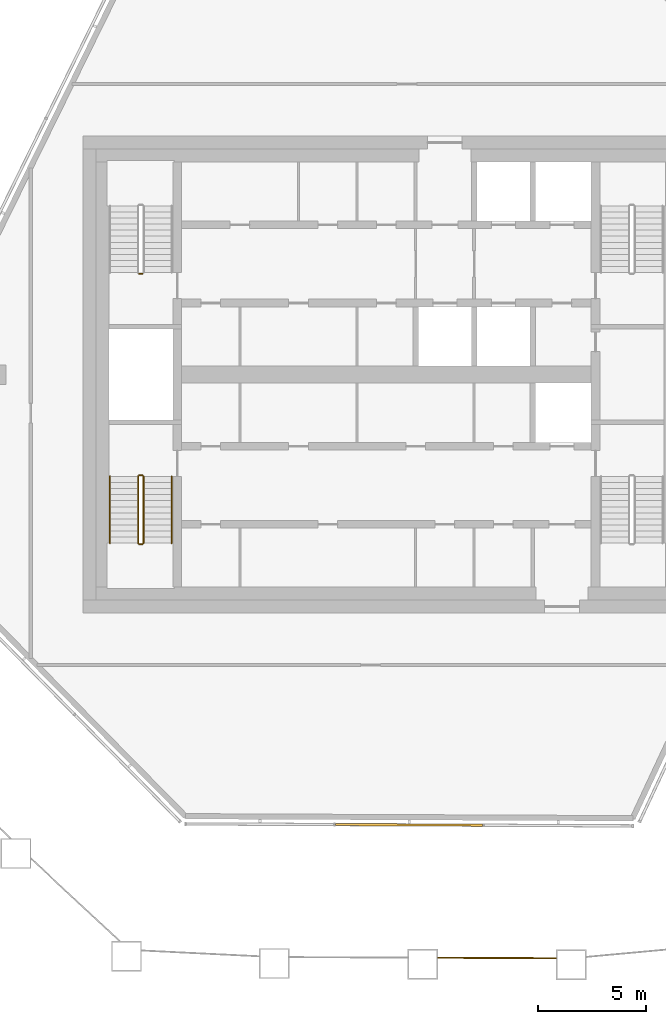
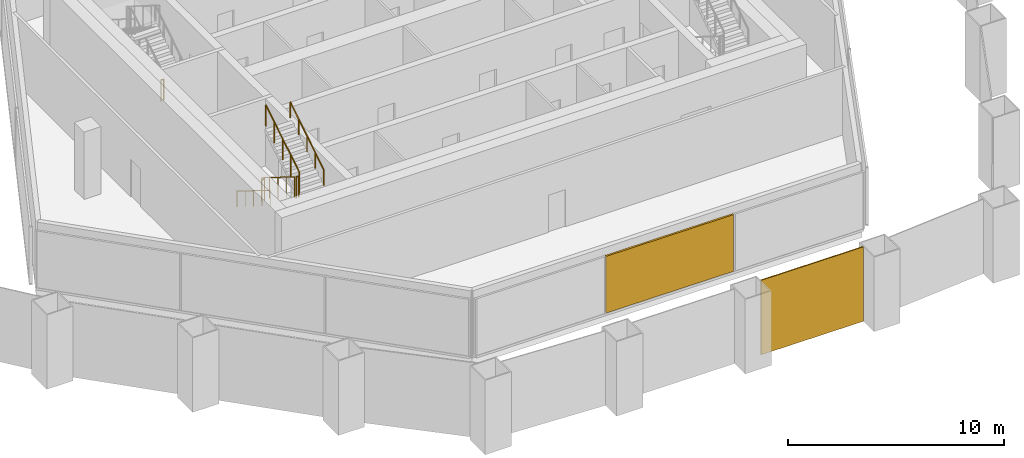
# One storey, part 13 of 18: 7 railings, 2 coverings, 1 element without a shape of its own.
"""IFC4 building model written with IfcOpenShell, lengths in metres."""

from ifc_helpers import new_model, si_unit, direction, frame, origin, origin_2d, place, context, subcontext, project, spatial, polyline, rectangle, circle, outline, extrude, material, layer, layer_set, type_object, element, aggregate, save


model = new_model("IFC4")

# Units and contexts
model_context = context("Model", 3, precision=1e-05, world=origin(), true_north=direction((0.0, 1.0)))
body_context = subcontext(model_context, "Body", "Model", "MODEL_VIEW")
ifc_project = project(units=[si_unit("LENGTHUNIT", "METRE"), si_unit("AREAUNIT", "SQUARE_METRE"), si_unit("VOLUMEUNIT", "CUBIC_METRE"), si_unit("PLANEANGLEUNIT", "RADIAN"), si_unit("MASSUNIT", "GRAM", prefix="KILO")], contexts=[model_context])

# Site, building, storey
site_placement = place(None, origin())
site = spatial("IfcSite", under=ifc_project, at=site_placement, CompositionType="ELEMENT")
building_placement = place(site_placement, origin())
building = spatial("IfcBuilding", under=site, at=building_placement, Name="Dongbaek Canopy Tower", CompositionType="ELEMENT")
storey_placement = place(building_placement, frame((0.0, 0.0, 367.39990234375)))
storey = spatial("IfcBuildingStorey", under=building, at=storey_placement, Name="L79", CompositionType="ELEMENT", Elevation=367.39990234375)

# Covering
ifc_material_1 = material(Name="Perforated pale metal")
ifc_layer_1 = layer(ifc_material_1, 0.06005859375)
ifc_layer_set_1 = layer_set([ifc_layer_1], Name="Crown plant screen")
covering_type_1 = type_object("IfcCoveringType", Name="Crown plant screen", PredefinedType="CLADDING", material=ifc_layer_set_1)
covering_1_placement = place(storey_placement, origin())
element("IfcCovering", 1, at=covering_1_placement, inside=storey, type_object=covering_type_1, Name="Crown plant screen 7 L79", PredefinedType="CLADDING", context=body_context, shape_type="SweptSolid", body=[
    extrude(outline(polyline([(2.383056640625, -26.93017578125), (2.383056640625, -26.8701171875), (7.833984375, -26.893798828125), (7.833984375, -26.953857421875), (2.383056640625, -26.93017578125)])), origin(), (0.0, 0.0, 1.0), 4.2001953125),
])

# Curtain wall, covering
ifc_material_2 = material(Name="Aluminium 6063-T6 pale anodised", Category="aluminium")
ifc_layer_2 = layer(ifc_material_2, 0.14990234375)
ifc_layer_set_2 = layer_set([ifc_layer_2], Name="CW-7 louvre curtain wall")
curtain_wall_type = type_object("IfcCurtainWallType", Name="CW-7 louvre curtain wall", PredefinedType="NOTDEFINED", material=ifc_layer_set_2)
curtain_wall_placement = place(storey_placement, origin())
curtain_wall = element("IfcCurtainWall", 2, at=curtain_wall_placement, inside=storey, type_object=curtain_wall_type, Name="CW-7 louvre wall L79 F0", PredefinedType="NOTDEFINED")
ifc_material_3 = material(Name="Aluminium 6063-T6 pale metal louvre blades", Category="aluminium")
ifc_layer_3 = layer(ifc_material_3, 0.10009765625)
ifc_layer_set_3 = layer_set([ifc_layer_3], Name="Louvre LV bank 100 x 3200")
covering_type_2 = type_object("IfcCoveringType", Name="Louvre LV bank 100 x 3200", PredefinedType="CLADDING", material=ifc_layer_set_3)
covering_2_placement = place(storey_placement, frame((1.04931640625, -20.772705078125, 0.30029296875), z_axis=(0.0, 0.0, 1.0), x_axis=(0.999990026762, -0.004466136555, 0.0)))
covering_2 = element("IfcCovering", 3, at=covering_2_placement, type_object=covering_type_2, Name="Louvre L79 F0.1.2", PredefinedType="CLADDING", context=body_context, shape_type="SweptSolid", body=[
    extrude(rectangle(XDim=6.787841796875, YDim=0.10009765625, at=origin_2d()), origin(), (0.0, 0.0, 1.0), 3.199951171875),
])
aggregate(curtain_wall, [covering_2])

# Railings
ifc_material_4 = material(Name="Stainless steel tube and balusters", Category="steel")
railing_type_1 = type_object("IfcRailingType", Name="Stair guard 1200", PredefinedType="GUARDRAIL", material=ifc_material_4)
railing_1_placement = place(storey_placement, frame((-11.25, 4.64990234375, 0.0)))
element("IfcRailing", 4, at=railing_1_placement, inside=storey, type_object=railing_type_1, Name="L79 ST-C stair guard 4", PredefinedType="GUARDRAIL", context=body_context, shape_type="SweptSolid", body=[
    extrude(circle(Radius=0.02392578125, at=origin_2d()), frame((0.0, 0.0, 1.17578125), z_axis=(-1.0, 0.0, 0.0), x_axis=(0.0, -1.0, 0.0)), (0.0, 0.0, 1.0), 0.14990234375),
    extrude(circle(Radius=0.02099609375, at=origin_2d()), origin(), (0.0, 0.0, 1.0), 1.15185546875),
    extrude(circle(Radius=0.02099609375, at=origin_2d()), frame((-0.14990234375, 0.0, 0.0)), (0.0, 0.0, 1.0), 1.15185546875),
])
railing_2_placement = place(storey_placement, frame((-11.449951171875, -4.699951171875, 0.175048828125)))
element("IfcRailing", 5, at=railing_2_placement, inside=storey, type_object=railing_type_1, Name="L79 ST-D stair guard 1", PredefinedType="GUARDRAIL", context=body_context, shape_type="SweptSolid", body=[
    extrude(circle(Radius=0.02392578125, at=origin_2d()), frame((0.0, 0.0, 1.17578125), z_axis=(0.0, -0.847998304005, 0.529998940003), x_axis=(1.0, 0.0, 0.0)), (0.0, 0.0, 1.0), 3.632080078125),
    extrude(circle(Radius=0.02099609375, at=origin_2d()), origin(), (0.0, 0.0, 1.0), 1.15185546875),
    extrude(circle(Radius=0.02099609375, at=origin_2d()), frame((0.0, -0.77001953125, 0.481201171875)), (0.0, 0.0, 1.0), 1.15185546875),
    extrude(circle(Radius=0.02099609375, at=origin_2d()), frame((0.0, -1.5400390625, 0.96240234375)), (0.0, 0.0, 1.0), 1.15185546875),
    extrude(circle(Radius=0.02099609375, at=origin_2d()), frame((0.0, -2.31005859375, 1.44384765625)), (0.0, 0.0, 1.0), 1.15185546875),
    extrude(circle(Radius=0.02099609375, at=origin_2d()), frame((0.0, -3.080078125, 1.925048828125)), (0.0, 0.0, 1.0), 1.15185546875),
])
railing_3_placement = place(storey_placement, frame((-11.39990234375, -7.830078125, 2.10009765625)))
element("IfcRailing", 6, at=railing_3_placement, inside=storey, type_object=railing_type_1, Name="L79 ST-D stair guard 2", PredefinedType="GUARDRAIL", context=body_context, shape_type="SweptSolid", body=[
    extrude(circle(Radius=0.02392578125, at=origin_2d()), frame((0.0, 0.0, 1.17578125), z_axis=(1.0, 0.0, 0.0), x_axis=(0.0, 1.0, 0.0)), (0.0, 0.0, 1.0), 0.14990234375),
    extrude(circle(Radius=0.02099609375, at=origin_2d()), origin(), (0.0, 0.0, 1.0), 1.15185546875),
    extrude(circle(Radius=0.02099609375, at=origin_2d()), frame((0.14990234375, 0.0, 0.0)), (0.0, 0.0, 1.0), 1.15185546875),
])
railing_4_placement = place(storey_placement, frame((-11.199951171875, -7.780029296875, 2.275146484375)))
element("IfcRailing", 7, at=railing_4_placement, inside=storey, type_object=railing_type_1, Name="L79 ST-D stair guard 3", PredefinedType="GUARDRAIL", context=body_context, shape_type="SweptSolid", body=[
    extrude(circle(Radius=0.02392578125, at=origin_2d()), frame((0.0, 0.0, 1.17578125), z_axis=(0.0, 0.847998304005, 0.529998940003), x_axis=(-1.0, 0.0, 0.0)), (0.0, 0.0, 1.0), 3.632080078125),
    extrude(circle(Radius=0.02099609375, at=origin_2d()), origin(), (0.0, 0.0, 1.0), 1.15185546875),
    extrude(circle(Radius=0.02099609375, at=origin_2d()), frame((0.0, 0.77001953125, 0.481201171875)), (0.0, 0.0, 1.0), 1.15185546875),
    extrude(circle(Radius=0.02099609375, at=origin_2d()), frame((0.0, 1.5400390625, 0.96240234375)), (0.0, 0.0, 1.0), 1.15185546875),
    extrude(circle(Radius=0.02099609375, at=origin_2d()), frame((0.0, 2.31005859375, 1.44384765625)), (0.0, 0.0, 1.0), 1.15185546875),
    extrude(circle(Radius=0.02099609375, at=origin_2d()), frame((0.0, 3.080078125, 1.925048828125)), (0.0, 0.0, 1.0), 1.15185546875),
])
railing_5_placement = place(storey_placement, frame((-11.39990234375, -4.64990234375, 0.0)))
element("IfcRailing", 8, at=railing_5_placement, inside=storey, type_object=railing_type_1, Name="L79 ST-D stair guard 4", PredefinedType="GUARDRAIL", context=body_context, shape_type="SweptSolid", body=[
    extrude(circle(Radius=0.02392578125, at=origin_2d()), frame((0.0, 0.0, 1.17578125), z_axis=(1.0, 0.0, 0.0), x_axis=(0.0, 1.0, 0.0)), (0.0, 0.0, 1.0), 0.14990234375),
    extrude(circle(Radius=0.02099609375, at=origin_2d()), origin(), (0.0, 0.0, 1.0), 1.15185546875),
    extrude(circle(Radius=0.02099609375, at=origin_2d()), frame((0.14990234375, 0.0, 0.0)), (0.0, 0.0, 1.0), 1.15185546875),
])
ifc_material_5 = material(Name="Stainless steel tube", Category="steel")
railing_type_2 = type_object("IfcRailingType", Name="Stair handrail 900", PredefinedType="HANDRAIL", material=ifc_material_5)
railing_6_placement = place(storey_placement, frame((-12.75, -4.699951171875, 0.175048828125)))
element("IfcRailing", 9, at=railing_6_placement, inside=storey, type_object=railing_type_2, Name="L79 ST-D stair handrail 1", PredefinedType="HANDRAIL", context=body_context, shape_type="SweptSolid", body=[
    extrude(circle(Radius=0.02392578125, at=origin_2d()), frame((0.0, 0.0, 0.8759765625), z_axis=(0.0, -0.847998304005, 0.529998940003), x_axis=(1.0, 0.0, 0.0)), (0.0, 0.0, 1.0), 3.632080078125),
    extrude(circle(Radius=0.02099609375, at=origin_2d()), origin(), (0.0, 0.0, 1.0), 0.851806640625),
    extrude(circle(Radius=0.02099609375, at=origin_2d()), frame((0.0, -0.77001953125, 0.481201171875)), (0.0, 0.0, 1.0), 0.851806640625),
    extrude(circle(Radius=0.02099609375, at=origin_2d()), frame((0.0, -1.5400390625, 0.96240234375)), (0.0, 0.0, 1.0), 0.851806640625),
    extrude(circle(Radius=0.02099609375, at=origin_2d()), frame((0.0, -2.31005859375, 1.44384765625)), (0.0, 0.0, 1.0), 0.851806640625),
    extrude(circle(Radius=0.02099609375, at=origin_2d()), frame((0.0, -3.080078125, 1.925048828125)), (0.0, 0.0, 1.0), 0.851806640625),
])
railing_7_placement = place(storey_placement, frame((-9.89990234375, -7.780029296875, 2.275146484375)))
element("IfcRailing", 10, at=railing_7_placement, inside=storey, type_object=railing_type_2, Name="L79 ST-D stair handrail 2", PredefinedType="HANDRAIL", context=body_context, shape_type="SweptSolid", body=[
    extrude(circle(Radius=0.02392578125, at=origin_2d()), frame((0.0, 0.0, 0.8759765625), z_axis=(0.0, 0.847998304005, 0.529998940003), x_axis=(-1.0, 0.0, 0.0)), (0.0, 0.0, 1.0), 3.632080078125),
    extrude(circle(Radius=0.02099609375, at=origin_2d()), origin(), (0.0, 0.0, 1.0), 0.851806640625),
    extrude(circle(Radius=0.02099609375, at=origin_2d()), frame((0.0, 0.77001953125, 0.481201171875)), (0.0, 0.0, 1.0), 0.851806640625),
    extrude(circle(Radius=0.02099609375, at=origin_2d()), frame((0.0, 1.5400390625, 0.96240234375)), (0.0, 0.0, 1.0), 0.851806640625),
    extrude(circle(Radius=0.02099609375, at=origin_2d()), frame((0.0, 2.31005859375, 1.44384765625)), (0.0, 0.0, 1.0), 0.851806640625),
    extrude(circle(Radius=0.02099609375, at=origin_2d()), frame((0.0, 3.080078125, 1.925048828125)), (0.0, 0.0, 1.0), 0.851806640625),
])

save(model, "model.ifc")
